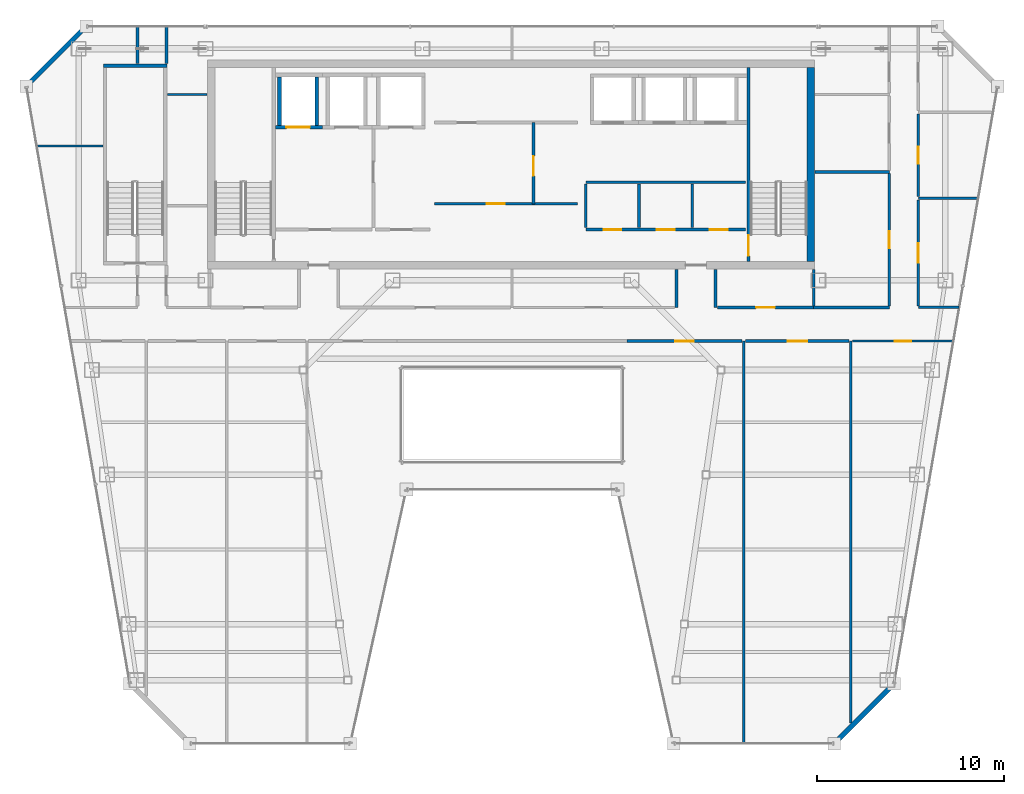
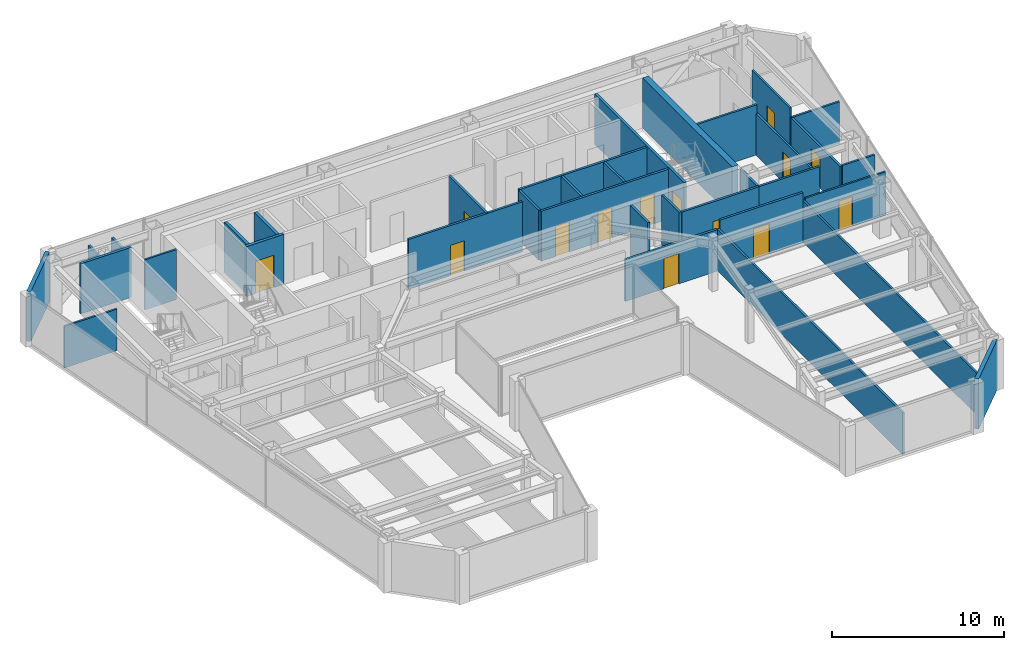
# One storey, part 27 of 33: 35 walls, 14 doors, 14 openings.
"""IFC4 building model written with IfcOpenShell, lengths in metres."""

from ifc_helpers import new_model, si_unit, direction, frame, frame_2d, origin, place, context, subcontext, project, spatial, rectangle, extrude, material, layer, layer_set, type_object, element, fill, save


model = new_model("IFC4")

# Units and contexts
model_context = context("Model", 3, precision=1e-05, world=origin(), true_north=direction((0.0, 1.0)))
body_context = subcontext(model_context, "Body", "Model", "MODEL_VIEW")
ifc_project = project(units=[si_unit("LENGTHUNIT", "METRE"), si_unit("AREAUNIT", "SQUARE_METRE"), si_unit("VOLUMEUNIT", "CUBIC_METRE"), si_unit("PLANEANGLEUNIT", "RADIAN"), si_unit("MASSUNIT", "GRAM", prefix="KILO")], contexts=[model_context])

# Site, building, storey
site_placement = place(None, origin())
site = spatial("IfcSite", under=ifc_project, at=site_placement, CompositionType="ELEMENT")
building_placement = place(site_placement, origin())
building = spatial("IfcBuilding", under=site, at=building_placement, Name="Saevonmaru Cultural Tower", CompositionType="ELEMENT")
storey_placement = place(building_placement, frame((0.0, 0.0, 234.39990234375)))
storey = spatial("IfcBuildingStorey", under=building, at=storey_placement, Name="L54", CompositionType="ELEMENT", Elevation=234.39990234375)

# Wall
ifc_material_1 = material(Name="Concrete C50/60", Category="concrete")
ifc_layer_1 = layer(ifc_material_1, 0.39990234375, Name="Concrete C50/60")
ifc_layer_set_1 = layer_set([ifc_layer_1], Name="Concrete C50/60")
wall_type_1 = type_object("IfcWallType", Name="WL-CORE-400", PredefinedType="SHEAR", material=ifc_layer_set_1)
wall_1_placement = place(storey_placement, frame((46.0, 43.39990234375, 0.0), z_axis=(0.0, 0.0, 1.0), x_axis=(0.0, 1.0, 0.0)))
element("IfcWall", 1, at=wall_1_placement, inside=storey, type_object=wall_type_1, Name="L54 Tower RC core shear wall E", PredefinedType="SHEAR", context=body_context, shape_type="SweptSolid", body=[
    extrude(rectangle(XDim=10.400146484375, YDim=0.39990234375, at=frame_2d((5.2001953125, 0.0))), origin(), (0.0, 0.0, 1.0), 3.550048828125),
])

# Wall, opening, door
ifc_material_2 = material(Name="Gypsum Fireboard Partition", Category="gypsum")
ifc_layer_2 = layer(ifc_material_2, 0.14990234375, Name="Gypsum Fireboard Partition")
ifc_layer_set_2 = layer_set([ifc_layer_2], Name="Gypsum Fireboard Partition")
wall_type_2 = type_object("IfcWallType", Name="WL-CORE-PART-150", PredefinedType="PARTITIONING", material=ifc_layer_set_2)
wall_2_placement = place(storey_placement, frame((31.14990234375, 46.5, 0.0), z_axis=(0.0, 0.0, 1.0), x_axis=(0.0, 1.0, 0.0)))
wall_2 = element("IfcWall", 2, at=wall_2_placement, inside=storey, type_object=wall_type_2, Name="L54 Lift Zone Baffle 1", PredefinedType="PARTITIONING", context=body_context, shape_type="SweptSolid", body=[
    extrude(rectangle(XDim=4.35009765625, YDim=0.14990234375, at=frame_2d((2.175048828125, 0.0))), origin(), (0.0, 0.0, 1.0), 3.550048828125),
])
opening_1_placement = place(wall_2_placement, frame((1.5, 0.0, 0.0)))
opening_1 = element("IfcOpeningElement", 3, at=opening_1_placement, cuts=wall_2, Name="Opening ID-1", PredefinedType="OPENING", context=body_context, shape_type="SweptSolid", body=[
    extrude(rectangle(XDim=1.050048828125, YDim=2.14990234375, at=frame_2d((0.52490234375, 1.074951171875))), frame((0.0, 0.0849609375, 0.0), z_axis=(0.0, -1.0, 0.0), x_axis=(1.0, 0.0, 0.0)), (0.0, 0.0, 1.0), 0.169921875),
])
ifc_material_3 = material(Name="Satin Bronze Anodised Aluminium", Category="aluminium")
door_type_1 = type_object("IfcDoorType", Name="DR-INT-1050", OperationType="SINGLE_SWING_LEFT", PredefinedType="DOOR", material=ifc_material_3)
door_1_placement = place(opening_1_placement, origin())
door_1 = element("IfcDoor", 4, at=door_1_placement, inside=storey, type_object=door_type_1, Name="L54 West-Mid Lobby Portal", OperationType="SINGLE_SWING_LEFT", OverallHeight=2.14990234375, OverallWidth=1.050048828125, PredefinedType="DOOR", context=body_context, shape_type="SweptSolid", body=[
    extrude(rectangle(XDim=1.050048828125, YDim=2.14990234375, at=frame_2d((0.52490234375, 1.074951171875))), frame((0.0, 0.02490234375, 0.0), z_axis=(0.0, -1.0, 0.0), x_axis=(1.0, 0.0, 0.0)), (0.0, 0.0, 1.0), 0.050048828125),
])
fill(opening_1, door_1)

# Wall, openings, doors
wall_3_placement = place(storey_placement, frame((33.949951171875, 45.1201171875, 0.0), z_axis=(0.0, 0.0, 1.0), x_axis=(1.0, 0.0, 0.0)))
wall_3 = element("IfcWall", 5, at=wall_3_placement, inside=storey, type_object=wall_type_2, Name="L54 Core Utility South Wall", PredefinedType="PARTITIONING", context=body_context, shape_type="SweptSolid", body=[
    extrude(rectangle(XDim=8.550048828125, YDim=0.14990234375, at=frame_2d((4.27490234375, 0.0))), origin(), (0.0, 0.0, 1.0), 3.550048828125),
])
opening_2_placement = place(wall_3_placement, frame((0.949951171875, 0.0, 0.0)))
opening_2 = element("IfcOpeningElement", 6, at=opening_2_placement, cuts=wall_3, Name="Opening FD-4", PredefinedType="OPENING", context=body_context, shape_type="SweptSolid", body=[
    extrude(rectangle(XDim=0.949951171875, YDim=2.14990234375, at=frame_2d((0.47509765625, 1.074951171875))), frame((0.0, 0.0849609375, 0.0), z_axis=(0.0, -1.0, 0.0), x_axis=(1.0, 0.0, 0.0)), (0.0, 0.0, 1.0), 0.169921875),
])
opening_3_placement = place(wall_3_placement, frame((3.800048828125, 0.0, 0.0)))
opening_3 = element("IfcOpeningElement", 7, at=opening_3_placement, cuts=wall_3, Name="Opening FD-4", PredefinedType="OPENING", context=body_context, shape_type="SweptSolid", body=[
    extrude(rectangle(XDim=0.949951171875, YDim=2.14990234375, at=frame_2d((0.47509765625, 1.074951171875))), frame((0.0, 0.0849609375, 0.0), z_axis=(0.0, -1.0, 0.0), x_axis=(1.0, 0.0, 0.0)), (0.0, 0.0, 1.0), 0.169921875),
])
opening_4_placement = place(wall_3_placement, frame((6.64990234375, 0.0, 0.0)))
opening_4 = element("IfcOpeningElement", 8, at=opening_4_placement, cuts=wall_3, Name="Opening FD-4", PredefinedType="OPENING", context=body_context, shape_type="SweptSolid", body=[
    extrude(rectangle(XDim=0.949951171875, YDim=2.14990234375, at=frame_2d((0.47509765625, 1.074951171875))), frame((0.0, 0.0849609375, 0.0), z_axis=(0.0, -1.0, 0.0), x_axis=(1.0, 0.0, 0.0)), (0.0, 0.0, 1.0), 0.169921875),
])
door_type_2 = type_object("IfcDoorType", Name="DR-FD60-950", OperationType="SINGLE_SWING_LEFT", PredefinedType="DOOR", material=ifc_material_3)
door_2_placement = place(opening_2_placement, origin())
door_2 = element("IfcDoor", 9, at=door_2_placement, inside=storey, type_object=door_type_2, Name="L54 Meter Plant Door", OperationType="SINGLE_SWING_LEFT", OverallHeight=2.14990234375, OverallWidth=0.949951171875, PredefinedType="DOOR", context=body_context, shape_type="SweptSolid", body=[
    extrude(rectangle(XDim=0.949951171875, YDim=2.14990234375, at=frame_2d((0.47509765625, 1.074951171875))), frame((0.0, 0.02490234375, 0.0), z_axis=(0.0, -1.0, 0.0), x_axis=(1.0, 0.0, 0.0)), (0.0, 0.0, 1.0), 0.050048828125),
])
fill(opening_2, door_2)
door_3_placement = place(opening_3_placement, origin())
door_3 = element("IfcDoor", 10, at=door_3_placement, inside=storey, type_object=door_type_2, Name="L54 AV Rack Plant Door", OperationType="SINGLE_SWING_LEFT", OverallHeight=2.14990234375, OverallWidth=0.949951171875, PredefinedType="DOOR", context=body_context, shape_type="SweptSolid", body=[
    extrude(rectangle(XDim=0.949951171875, YDim=2.14990234375, at=frame_2d((0.47509765625, 1.074951171875))), frame((0.0, 0.02490234375, 0.0), z_axis=(0.0, -1.0, 0.0), x_axis=(1.0, 0.0, 0.0)), (0.0, 0.0, 1.0), 0.050048828125),
])
fill(opening_3, door_3)
door_4_placement = place(opening_4_placement, origin())
door_4 = element("IfcDoor", 11, at=door_4_placement, inside=storey, type_object=door_type_2, Name="L54 Archive Supply Storage Door", OperationType="SINGLE_SWING_LEFT", OverallHeight=2.14990234375, OverallWidth=0.949951171875, PredefinedType="DOOR", context=body_context, shape_type="SweptSolid", body=[
    extrude(rectangle(XDim=0.949951171875, YDim=2.14990234375, at=frame_2d((0.47509765625, 1.074951171875))), frame((0.0, 0.02490234375, 0.0), z_axis=(0.0, -1.0, 0.0), x_axis=(1.0, 0.0, 0.0)), (0.0, 0.0, 1.0), 0.050048828125),
])
fill(opening_4, door_4)

# Walls
wall_4_placement = place(storey_placement, frame((33.949951171875, 47.64990234375, 0.0), z_axis=(0.0, 0.0, 1.0), x_axis=(1.0, 0.0, 0.0)))
element("IfcWall", 12, at=wall_4_placement, inside=storey, type_object=wall_type_2, Name="L54 Core Utility North Wall", PredefinedType="PARTITIONING", context=body_context, shape_type="SweptSolid", body=[
    extrude(rectangle(XDim=8.550048828125, YDim=0.14990234375, at=frame_2d((4.27490234375, 0.0))), origin(), (0.0, 0.0, 1.0), 3.550048828125),
])
for number, where, z_axis, x_axis, name in (
    (13, (33.949951171875, 45.219970703125, 0.0), (0.0, 0.0, 1.0), (0.0, 1.0, 0.0), "L54 Core Utility West Wall"),
    (14, (36.800048828125, 45.219970703125, 0.0), (0.0, 0.0, 1.0), (0.0, 1.0, 0.0), "L54 Utility Divider 1"),
    (15, (39.64990234375, 45.219970703125, 0.0), (0.0, 0.0, 1.0), (0.0, 1.0, 0.0), "L54 Utility Divider 2"),
):
    element("IfcWall", number, at=place(storey_placement, frame(where, z_axis=z_axis, x_axis=x_axis)), inside=storey, type_object=wall_type_2, Name=name, PredefinedType="PARTITIONING", context=body_context, shape_type="SweptSolid", body=[
        extrude(rectangle(XDim=2.330078125, YDim=0.14990234375, at=frame_2d((1.1650390625, 0.0))), origin(), (0.0, 0.0, 1.0), 3.550048828125),
    ])

# Wall, opening, door
wall_5_placement = place(storey_placement, frame((25.85009765625, 46.5, 0.0), z_axis=(0.0, 0.0, 1.0), x_axis=(1.0, 0.0, 0.0)))
wall_5 = element("IfcWall", 16, at=wall_5_placement, inside=storey, type_object=wall_type_2, Name="L54 Reclaimed Mid-Shaft Wall", PredefinedType="PARTITIONING", context=body_context, shape_type="SweptSolid", body=[
    extrude(rectangle(XDim=7.64990234375, YDim=0.14990234375, at=frame_2d((3.824951171875, 0.0))), origin(), (0.0, 0.0, 1.0), 3.550048828125),
])
opening_5_placement = place(wall_5_placement, frame((2.800048828125, 0.0, 0.0)))
opening_5 = element("IfcOpeningElement", 17, at=opening_5_placement, cuts=wall_5, Name="Opening FD-4", PredefinedType="OPENING", context=body_context, shape_type="SweptSolid", body=[
    extrude(rectangle(XDim=0.949951171875, YDim=2.14990234375, at=frame_2d((0.47509765625, 1.074951171875))), frame((0.0, 0.0849609375, 0.0), z_axis=(0.0, -1.0, 0.0), x_axis=(1.0, 0.0, 0.0)), (0.0, 0.0, 1.0), 0.169921875),
])
door_5_placement = place(opening_5_placement, origin())
door_5 = element("IfcDoor", 18, at=door_5_placement, inside=storey, type_object=door_type_2, Name="L54 Reclaimed Manuscript Storage Door", OperationType="SINGLE_SWING_LEFT", OverallHeight=2.14990234375, OverallWidth=0.949951171875, PredefinedType="DOOR", context=body_context, shape_type="SweptSolid", body=[
    extrude(rectangle(XDim=0.949951171875, YDim=2.14990234375, at=frame_2d((0.47509765625, 1.074951171875))), frame((0.0, 0.02490234375, 0.0), z_axis=(0.0, -1.0, 0.0), x_axis=(1.0, 0.0, 0.0)), (0.0, 0.0, 1.0), 0.050048828125),
])
fill(opening_5, door_5)

# Walls
ifc_material_4 = material(Name="Granite-Clad Precast Concrete C40/50", Category="masonry")
ifc_layer_3 = layer(ifc_material_4, 0.260009765625, Name="Granite-Clad Precast Concrete C40/50")
ifc_layer_set_3 = layer_set([ifc_layer_3], Name="Granite-Clad Precast Concrete C40/50")
wall_type_3 = type_object("IfcWallType", Name="WL-EXT-SPANDREL-260", PredefinedType="STANDARD", material=ifc_layer_set_3)
wall_6_placement = place(storey_placement, frame((47.366455078125, 17.713134765625, 0.0), z_axis=(0.0, 0.0, 1.0), x_axis=(0.70707775441, 0.707135806771, 0.0)))
element("IfcWall", 19, at=wall_6_placement, inside=storey, type_object=wall_type_3, Name="L54 Chamfer Corner Spandrel Wall E7", PredefinedType="STANDARD", context=body_context, shape_type="SweptSolid", body=[
    extrude(rectangle(XDim=4.20556640625, YDim=0.260009765625, at=frame_2d((2.102783203125, 0.0))), origin(), (0.0, 0.0, 1.0), 3.550048828125),
])
wall_7_placement = place(storey_placement, frame((7.0869140625, 55.886962890625, 0.0), z_axis=(0.0, 0.0, 1.0), x_axis=(-0.707106781187, -0.707106781187, 0.0)))
element("IfcWall", 20, at=wall_7_placement, inside=storey, type_object=wall_type_3, Name="L54 Chamfer Corner Spandrel Wall E11", PredefinedType="STANDARD", context=body_context, shape_type="SweptSolid", body=[
    extrude(rectangle(XDim=4.205810546875, YDim=0.260009765625, at=frame_2d((2.10302734375, 0.0))), origin(), (0.0, 0.0, 1.0), 3.550048828125),
])
ifc_layer_4 = layer(ifc_material_2, 0.14990234375, Name="Gypsum Fireboard Partition")
ifc_layer_set_4 = layer_set([ifc_layer_4], Name="Gypsum Fireboard Partition")
wall_type_4 = type_object("IfcWallType", Name="WL-PART-FIRE-150", PredefinedType="PARTITIONING", material=ifc_layer_set_4)
for number, where, z_axis, x_axis, name in (
    (21, (11.5, 54.0, 0.0), (0.0, 0.0, 1.0), (0.0, 1.0, 0.0), "L54 Sound Art Screening Auditorium Corridor Wall"),
    (22, (9.949951171875, 54.0, 0.0), (0.0, 0.0, 1.0), (0.0, 1.0, 0.0), "L54 Media Screening Auditorium Corridor Wall"),
):
    element("IfcWall", number, at=place(storey_placement, frame(where, z_axis=z_axis, x_axis=x_axis)), inside=storey, type_object=wall_type_4, Name=name, PredefinedType="PARTITIONING", context=body_context, shape_type="SweptSolid", body=[
        extrude(rectangle(XDim=1.9951171875, YDim=0.14990234375, at=frame_2d((0.99755859375, 0.0))), origin(), (0.0, 0.0, 1.0), 2.93505859375),
    ])

# Wall, opening, door
wall_8_placement = place(storey_placement, frame((51.75, 41.03759765625, 0.0), z_axis=(0.0, 0.0, 1.0), x_axis=(0.0, 1.0, 0.0)))
wall_8 = element("IfcWall", 23, at=wall_8_placement, inside=storey, type_object=wall_type_4, Name="L54 Visual Arts Critique Gallery Corridor Wall", PredefinedType="PARTITIONING", context=body_context, shape_type="SweptSolid", body=[
    extrude(rectangle(XDim=5.6748046875, YDim=0.14990234375, at=frame_2d((2.83740234375, 0.0))), origin(), (0.0, 0.0, 1.0), 2.947021484375),
])
opening_6_placement = place(wall_8_placement, frame((2.31201171875, 0.0, 0.0)))
opening_6 = element("IfcOpeningElement", 24, at=opening_6_placement, cuts=wall_8, Name="Opening ID-1", PredefinedType="OPENING", context=body_context, shape_type="SweptSolid", body=[
    extrude(rectangle(XDim=1.050048828125, YDim=2.14990234375, at=frame_2d((0.52490234375, 1.074951171875))), frame((0.0, 0.0849609375, 0.0), z_axis=(0.0, -1.0, 0.0), x_axis=(1.0, 0.0, 0.0)), (0.0, 0.0, 1.0), 0.169921875),
])
door_6_placement = place(opening_6_placement, origin())
door_6 = element("IfcDoor", 25, at=door_6_placement, inside=storey, type_object=door_type_1, Name="L54 Visual Arts Critique Gallery Door", OperationType="SINGLE_SWING_LEFT", OverallHeight=2.14990234375, OverallWidth=1.050048828125, PredefinedType="DOOR", context=body_context, shape_type="SweptSolid", body=[
    extrude(rectangle(XDim=1.050048828125, YDim=2.14990234375, at=frame_2d((0.52490234375, 1.074951171875))), frame((0.0, 0.02490234375, 0.0), z_axis=(0.0, -1.0, 0.0), x_axis=(1.0, 0.0, 0.0)), (0.0, 0.0, 1.0), 0.050048828125),
])
fill(opening_6, door_6)

# Walls
for number, where, z_axis, x_axis, name in (
    (26, (38.800048828125, 40.949951171875, 0.0), (0.0, 0.0, 1.0), (0.0, 1.0, 0.0), "L54 Core Portal Side Wall E1"),
    (27, (40.89990234375, 40.949951171875, 0.0), (0.0, 0.0, 1.0), (0.0, 1.0, 0.0), "L54 Core Portal Side Wall E2"),
):
    element("IfcWall", number, at=place(storey_placement, frame(where, z_axis=z_axis, x_axis=x_axis)), inside=storey, type_object=wall_type_4, Name=name, PredefinedType="PARTITIONING", context=body_context, shape_type="SweptSolid", body=[
        extrude(rectangle(XDim=2.030029296875, YDim=0.14990234375, at=frame_2d((1.01513671875, 0.0))), origin(), (0.0, 0.0, 1.0), 3.550048828125),
    ])

# Wall, opening, door
wall_9_placement = place(storey_placement, frame((40.9951171875, 40.949951171875, 0.0), z_axis=(0.0, 0.0, 1.0), x_axis=(1.0, 0.0, 0.0)))
wall_9 = element("IfcWall", 28, at=wall_9_placement, inside=storey, type_object=wall_type_4, Name="L54 Sound Art Screening Auditorium Corridor Wall", PredefinedType="PARTITIONING", context=body_context, shape_type="SweptSolid", body=[
    extrude(rectangle(XDim=5.15478515625, YDim=0.14990234375, at=frame_2d((2.577392578125, 0.0))), origin(), (0.0, 0.0, 1.0), 3.550048828125),
])
opening_7_placement = place(wall_9_placement, frame((2.077880859375, 0.0, 0.0)))
opening_7 = element("IfcOpeningElement", 29, at=opening_7_placement, cuts=wall_9, Name="Opening ID-1B", PredefinedType="OPENING", context=body_context, shape_type="SweptSolid", body=[
    extrude(rectangle(XDim=1.0, YDim=2.14990234375, at=frame_2d((0.5, 1.074951171875))), frame((0.0, 0.0849609375, 0.0), z_axis=(0.0, -1.0, 0.0), x_axis=(1.0, 0.0, 0.0)), (0.0, 0.0, 1.0), 0.169921875),
])
ifc_material_5 = material(Name="Acoustic Stained Oak Timber", Category="wood")
door_type_3 = type_object("IfcDoorType", Name="DR-INT-1000", OperationType="SINGLE_SWING_RIGHT", PredefinedType="DOOR", material=ifc_material_5)
door_7_placement = place(opening_7_placement, origin())
door_7 = element("IfcDoor", 30, at=door_7_placement, inside=storey, type_object=door_type_3, Name="L54 Sound Art Screening Auditorium Door", OperationType="SINGLE_SWING_LEFT", OverallHeight=2.14990234375, OverallWidth=1.0, PredefinedType="DOOR", context=body_context, shape_type="SweptSolid", body=[
    extrude(rectangle(XDim=1.0, YDim=2.14990234375, at=frame_2d((0.5, 1.074951171875))), frame((0.0, 0.02490234375, 0.0), z_axis=(0.0, -1.0, 0.0), x_axis=(1.0, 0.0, 0.0)), (0.0, 0.0, 1.0), 0.050048828125),
])
fill(opening_7, door_7)

wall_10_placement = place(storey_placement, frame((36.14990234375, 39.14990234375, 0.0), z_axis=(0.0, 0.0, 1.0), x_axis=(1.0, 0.0, 0.0)))
wall_10 = element("IfcWall", 31, at=wall_10_placement, inside=storey, type_object=wall_type_4, Name="L54 Sound Art Screening Auditorium Corridor Wall", PredefinedType="PARTITIONING", context=body_context, shape_type="SweptSolid", body=[
    extrude(rectangle(XDim=6.172607421875, YDim=0.14990234375, at=frame_2d((3.08642578125, 0.0))), origin(), (0.0, 0.0, 1.0), 2.947021484375),
])
opening_8_placement = place(wall_10_placement, frame((2.5859375, 0.0, 0.0)))
opening_8 = element("IfcOpeningElement", 32, at=opening_8_placement, cuts=wall_10, Name="Opening ID-1B", PredefinedType="OPENING", context=body_context, shape_type="SweptSolid", body=[
    extrude(rectangle(XDim=1.0, YDim=2.14990234375, at=frame_2d((0.5, 1.074951171875))), frame((0.0, 0.0849609375, 0.0), z_axis=(0.0, -1.0, 0.0), x_axis=(1.0, 0.0, 0.0)), (0.0, 0.0, 1.0), 0.169921875),
])
door_8_placement = place(opening_8_placement, origin())
door_8 = element("IfcDoor", 33, at=door_8_placement, inside=storey, type_object=door_type_3, Name="L54 Sound Art Screening Auditorium Door", OperationType="SINGLE_SWING_RIGHT", OverallHeight=2.14990234375, OverallWidth=1.0, PredefinedType="DOOR", context=body_context, shape_type="SweptSolid", body=[
    extrude(rectangle(XDim=1.0, YDim=2.14990234375, at=frame_2d((0.5, 1.074951171875))), frame((0.0, 0.02490234375, 0.0), z_axis=(0.0, -1.0, 0.0), x_axis=(1.0, 0.0, 0.0)), (0.0, 0.0, 1.0), 0.050048828125),
])
fill(opening_8, door_8)

wall_11_placement = place(storey_placement, frame((42.49755859375, 39.14990234375, 0.0), z_axis=(0.0, 0.0, 1.0), x_axis=(1.0, 0.0, 0.0)))
wall_11 = element("IfcWall", 34, at=wall_11_placement, inside=storey, type_object=wall_type_4, Name="L54 Visual Arts Critique Gallery Corridor Wall", PredefinedType="PARTITIONING", context=body_context, shape_type="SweptSolid", body=[
    extrude(rectangle(XDim=5.554931640625, YDim=0.14990234375, at=frame_2d((2.77734375, 0.0))), origin(), (0.0, 0.0, 1.0), 3.550048828125),
])
opening_9_placement = place(wall_11_placement, frame((2.251953125, 0.0, 0.0)))
opening_9 = element("IfcOpeningElement", 35, at=opening_9_placement, cuts=wall_11, Name="Opening ID-1", PredefinedType="OPENING", context=body_context, shape_type="SweptSolid", body=[
    extrude(rectangle(XDim=1.050048828125, YDim=2.14990234375, at=frame_2d((0.52490234375, 1.074951171875))), frame((0.0, 0.0849609375, 0.0), z_axis=(0.0, -1.0, 0.0), x_axis=(1.0, 0.0, 0.0)), (0.0, 0.0, 1.0), 0.169921875),
])
door_9_placement = place(opening_9_placement, origin())
door_9 = element("IfcDoor", 36, at=door_9_placement, inside=storey, type_object=door_type_1, Name="L54 Visual Arts Critique Gallery Door", OperationType="SINGLE_SWING_LEFT", OverallHeight=2.14990234375, OverallWidth=1.050048828125, PredefinedType="DOOR", context=body_context, shape_type="SweptSolid", body=[
    extrude(rectangle(XDim=1.050048828125, YDim=2.14990234375, at=frame_2d((0.52490234375, 1.074951171875))), frame((0.0, 0.02490234375, 0.0), z_axis=(0.0, -1.0, 0.0), x_axis=(1.0, 0.0, 0.0)), (0.0, 0.0, 1.0), 0.050048828125),
])
fill(opening_9, door_9)

# Walls
ifc_layer_5 = layer(ifc_material_2, 0.1201171875, Name="Gypsum Fireboard Partition")
ifc_layer_set_5 = layer_set([ifc_layer_5], Name="Gypsum Fireboard Partition")
wall_type_5 = type_object("IfcWallType", Name="WL-PART-GYP-120", PredefinedType="PARTITIONING", material=ifc_layer_set_5)
wall_12_placement = place(storey_placement, frame((11.550048828125, 52.35009765625, 0.0), z_axis=(0.0, 0.0, 1.0), x_axis=(1.0, 0.0, 0.0)))
element("IfcWall", 37, at=wall_12_placement, inside=storey, type_object=wall_type_5, Name="L54 North-West Panorama South Wall", PredefinedType="PARTITIONING", context=body_context, shape_type="SweptSolid", body=[
    extrude(rectangle(XDim=2.1298828125, YDim=0.1201171875, at=frame_2d((1.06494140625, 0.0))), origin(), (0.0, 0.0, 1.0), 3.550048828125),
])
wall_13_placement = place(storey_placement, frame((4.559814453125, 49.60009765625, 0.0), z_axis=(0.0, 0.0, 1.0), x_axis=(1.0, 0.0, 0.0)))
element("IfcWall", 38, at=wall_13_placement, inside=storey, type_object=wall_type_5, Name="L54 NW Studio Divider 1", PredefinedType="PARTITIONING", context=body_context, shape_type="SweptSolid", body=[
    extrude(rectangle(XDim=3.540283203125, YDim=0.1201171875, at=frame_2d((1.77001953125, 0.0))), origin(), (0.0, 0.0, 1.0), 2.947021484375),
])

# Wall, opening, door
wall_14_placement = place(storey_placement, frame((51.75, 46.887451171875, 0.0), z_axis=(0.0, 0.0, 1.0), x_axis=(0.0, 1.0, 0.0)))
wall_14 = element("IfcWall", 39, at=wall_14_placement, inside=storey, type_object=wall_type_5, Name="L54 Architecture Residency Office Corridor Wall", PredefinedType="PARTITIONING", context=body_context, shape_type="SweptSolid", body=[
    extrude(rectangle(XDim=4.425048828125, YDim=0.1201171875, at=frame_2d((2.21240234375, 0.0))), origin(), (0.0, 0.0, 1.0), 3.550048828125),
])
opening_10_placement = place(wall_14_placement, frame((1.761962890625, 0.0, 0.0)))
opening_10 = element("IfcOpeningElement", 40, at=opening_10_placement, cuts=wall_14, Name="Opening ID-2", PredefinedType="OPENING", context=body_context, shape_type="SweptSolid", body=[
    extrude(rectangle(XDim=0.89990234375, YDim=2.10009765625, at=frame_2d((0.449951171875, 1.050048828125))), frame((0.0, 0.070068359375, 0.0), z_axis=(0.0, -1.0, 0.0), x_axis=(1.0, 0.0, 0.0)), (0.0, 0.0, 1.0), 0.14013671875),
])
door_type_4 = type_object("IfcDoorType", Name="DR-INT-900", OperationType="SINGLE_SWING_RIGHT", PredefinedType="DOOR", material=ifc_material_5)
door_10_placement = place(opening_10_placement, origin())
door_10 = element("IfcDoor", 41, at=door_10_placement, inside=storey, type_object=door_type_4, Name="L54 Architecture Residency Office Door", OperationType="SINGLE_SWING_RIGHT", OverallHeight=2.10009765625, OverallWidth=0.89990234375, PredefinedType="DOOR", context=body_context, shape_type="SweptSolid", body=[
    extrude(rectangle(XDim=0.89990234375, YDim=2.10009765625, at=frame_2d((0.449951171875, 1.050048828125))), frame((0.0, 0.02490234375, 0.0), z_axis=(0.0, -1.0, 0.0), x_axis=(1.0, 0.0, 0.0)), (0.0, 0.0, 1.0), 0.050048828125),
])
fill(opening_10, door_10)

wall_15_placement = place(storey_placement, frame((48.2275390625, 39.14990234375, 0.0), z_axis=(0.0, 0.0, 1.0), x_axis=(1.0, 0.0, 0.0)))
wall_15 = element("IfcWall", 42, at=wall_15_placement, inside=storey, type_object=wall_type_5, Name="L54 Architecture Residency Office Corridor Wall", PredefinedType="PARTITIONING", context=body_context, shape_type="SweptSolid", body=[
    extrude(rectangle(XDim=5.4013671875, YDim=0.1201171875, at=frame_2d((2.70068359375, 0.0))), origin(), (0.0, 0.0, 1.0), 3.085205078125),
])
opening_11_placement = place(wall_15_placement, frame((2.2509765625, 0.0, 0.0)))
opening_11 = element("IfcOpeningElement", 43, at=opening_11_placement, cuts=wall_15, Name="Opening ID-2", PredefinedType="OPENING", context=body_context, shape_type="SweptSolid", body=[
    extrude(rectangle(XDim=0.89990234375, YDim=2.10009765625, at=frame_2d((0.449951171875, 1.050048828125))), frame((0.0, 0.070068359375, 0.0), z_axis=(0.0, -1.0, 0.0), x_axis=(1.0, 0.0, 0.0)), (0.0, 0.0, 1.0), 0.14013671875),
])
door_11_placement = place(opening_11_placement, origin())
door_11 = element("IfcDoor", 44, at=door_11_placement, inside=storey, type_object=door_type_4, Name="L54 Architecture Residency Office Door", OperationType="SINGLE_SWING_RIGHT", OverallHeight=2.10009765625, OverallWidth=0.89990234375, PredefinedType="DOOR", context=body_context, shape_type="SweptSolid", body=[
    extrude(rectangle(XDim=0.89990234375, YDim=2.10009765625, at=frame_2d((0.449951171875, 1.050048828125))), frame((0.0, 0.02490234375, 0.0), z_axis=(0.0, -1.0, 0.0), x_axis=(1.0, 0.0, 0.0)), (0.0, 0.0, 1.0), 0.050048828125),
])
fill(opening_11, door_11)

# Walls
ifc_layer_6 = layer(ifc_material_2, 0.135009765625, Name="Gypsum Fireboard Partition")
ifc_layer_set_6 = layer_set([ifc_layer_6], Name="Gypsum Fireboard Partition")
wall_type_6 = type_object("IfcWallType", Name="WL-PART-GYP-135", PredefinedType="PARTITIONING", material=ifc_layer_set_6)
wall_16_placement = place(storey_placement, frame((51.75, 40.949951171875, 0.0), z_axis=(0.0, 0.0, 1.0), x_axis=(1.0, 0.0, 0.0)))
element("IfcWall", 45, at=wall_16_placement, inside=storey, type_object=wall_type_6, Name="L54 NE Wing South Wall", PredefinedType="PARTITIONING", context=body_context, shape_type="SweptSolid", body=[
    extrude(rectangle(XDim=2.19091796875, YDim=0.135009765625, at=frame_2d((1.095458984375, 0.0))), origin(), (0.0, 0.0, 1.0), 3.085205078125),
])
wall_17_placement = place(storey_placement, frame((51.75, 46.800048828125, 0.0), z_axis=(0.0, 0.0, 1.0), x_axis=(1.0, 0.0, 0.0)))
element("IfcWall", 46, at=wall_17_placement, inside=storey, type_object=wall_type_6, Name="L54 NE Studio Divider 1", PredefinedType="PARTITIONING", context=body_context, shape_type="SweptSolid", body=[
    extrude(rectangle(XDim=3.204833984375, YDim=0.135009765625, at=frame_2d((1.6025390625, 0.0))), origin(), (0.0, 0.0, 1.0), 2.947021484375),
])
wall_18_placement = place(storey_placement, frame((42.409912109375, 17.60498046875, 0.0), z_axis=(0.0, 0.0, 1.0), x_axis=(0.0, 1.0, 0.0)))
element("IfcWall", 47, at=wall_18_placement, inside=storey, type_object=wall_type_6, Name="L54 East Bay Divider 1", PredefinedType="PARTITIONING", context=body_context, shape_type="SweptSolid", body=[
    extrude(rectangle(XDim=21.544921875, YDim=0.135009765625, at=frame_2d((10.7724609375, 0.0))), origin(), (0.0, 0.0, 1.0), 2.947021484375),
])
wall_19_placement = place(storey_placement, frame((48.139892578125, 18.69873046875, 0.0), z_axis=(0.0, 0.0, 1.0), x_axis=(0.0, 1.0, 0.0)))
element("IfcWall", 48, at=wall_19_placement, inside=storey, type_object=wall_type_6, Name="L54 East Bay Divider 2", PredefinedType="PARTITIONING", context=body_context, shape_type="SweptSolid", body=[
    extrude(rectangle(XDim=20.451171875, YDim=0.135009765625, at=frame_2d((10.2255859375, 0.0))), origin(), (0.0, 0.0, 1.0), 2.947021484375),
])
ifc_layer_7 = layer(ifc_material_2, 0.139892578125, Name="Gypsum Fireboard Partition")
ifc_layer_set_7 = layer_set([ifc_layer_7], Name="Gypsum Fireboard Partition")
wall_type_7 = type_object("IfcWallType", Name="WL-PART-WET-140", PredefinedType="PARTITIONING", material=ifc_layer_set_7)
wall_20_placement = place(storey_placement, frame((46.14990234375, 40.949951171875, 0.0), z_axis=(0.0, 0.0, 1.0), x_axis=(1.0, 0.0, 0.0)))
element("IfcWall", 49, at=wall_20_placement, inside=storey, type_object=wall_type_7, Name="L54 Washroom South Wall", PredefinedType="PARTITIONING", context=body_context, shape_type="SweptSolid", body=[
    extrude(rectangle(XDim=4.050048828125, YDim=0.139892578125, at=frame_2d((2.02490234375, 0.0))), origin(), (0.0, 0.0, 1.0), 3.550048828125),
])
wall_21_placement = place(storey_placement, frame((46.14990234375, 41.0400390625, 0.0), z_axis=(0.0, 0.0, 1.0), x_axis=(0.0, 1.0, 0.0)))
element("IfcWall", 50, at=wall_21_placement, inside=storey, type_object=wall_type_7, Name="L54 Washroom South-West Return", PredefinedType="PARTITIONING", context=body_context, shape_type="SweptSolid", body=[
    extrude(rectangle(XDim=1.93994140625, YDim=0.139892578125, at=frame_2d((0.969970703125, 0.0))), origin(), (0.0, 0.0, 1.0), 3.550048828125),
])
wall_22_placement = place(storey_placement, frame((46.219970703125, 48.199951171875, 0.0), z_axis=(0.0, 0.0, 1.0), x_axis=(1.0, 0.0, 0.0)))
element("IfcWall", 51, at=wall_22_placement, inside=storey, type_object=wall_type_7, Name="L54 Washroom North Wall", PredefinedType="PARTITIONING", context=body_context, shape_type="SweptSolid", body=[
    extrude(rectangle(XDim=3.97998046875, YDim=0.139892578125, at=frame_2d((1.989990234375, 0.0))), origin(), (0.0, 0.0, 1.0), 3.550048828125),
])

# Wall, opening, door
wall_23_placement = place(storey_placement, frame((50.199951171875, 41.0400390625, 0.0), z_axis=(0.0, 0.0, 1.0), x_axis=(0.0, 1.0, 0.0)))
wall_23 = element("IfcWall", 52, at=wall_23_placement, inside=storey, type_object=wall_type_7, Name="L54 Washroom Corridor Wall", PredefinedType="PARTITIONING", context=body_context, shape_type="SweptSolid", body=[
    extrude(rectangle(XDim=7.070068359375, YDim=0.139892578125, at=frame_2d((3.53515625, 0.0))), origin(), (0.0, 0.0, 1.0), 2.947021484375),
])
opening_12_placement = place(wall_23_placement, frame((3.0849609375, 0.0, 0.0)))
opening_12 = element("IfcOpeningElement", 53, at=opening_12_placement, cuts=wall_23, Name="Opening ID-2", PredefinedType="OPENING", context=body_context, shape_type="SweptSolid", body=[
    extrude(rectangle(XDim=0.89990234375, YDim=2.10009765625, at=frame_2d((0.449951171875, 1.050048828125))), frame((0.0, 0.080078125, 0.0), z_axis=(0.0, -1.0, 0.0), x_axis=(1.0, 0.0, 0.0)), (0.0, 0.0, 1.0), 0.159912109375),
])
door_12_placement = place(opening_12_placement, origin())
door_12 = element("IfcDoor", 54, at=door_12_placement, inside=storey, type_object=door_type_4, Name="L54 Public Accessible Washrooms Door", OperationType="SINGLE_SWING_RIGHT", OverallHeight=2.10009765625, OverallWidth=0.89990234375, PredefinedType="DOOR", context=body_context, shape_type="SweptSolid", body=[
    extrude(rectangle(XDim=0.89990234375, YDim=2.10009765625, at=frame_2d((0.449951171875, 1.050048828125))), frame((0.0, 0.02490234375, 0.0), z_axis=(0.0, -1.0, 0.0), x_axis=(1.0, 0.0, 0.0)), (0.0, 0.0, 1.0), 0.050048828125),
])
fill(opening_12, door_12)

ifc_material_6 = material(Name="Concrete C40/50", Category="concrete")
ifc_layer_8 = layer(ifc_material_6, 0.199951171875, Name="Concrete C40/50")
ifc_layer_set_8 = layer_set([ifc_layer_8], Name="Concrete C40/50")
wall_type_8 = type_object("IfcWallType", Name="WL-SHAFT-200", PredefinedType="SHEAR", material=ifc_layer_set_8)
wall_24_placement = place(storey_placement, frame((17.330078125, 50.60009765625, 0.0), z_axis=(0.0, 0.0, 1.0), x_axis=(1.0, 0.0, 0.0)))
wall_24 = element("IfcWall", 55, at=wall_24_placement, inside=storey, type_object=wall_type_8, Name="L54 Lift FFL-1 Hoistway Wall S", PredefinedType="SHEAR", context=body_context, shape_type="SweptSolid", body=[
    extrude(rectangle(XDim=2.52001953125, YDim=0.199951171875, at=frame_2d((1.260009765625, 0.0))), origin(), (0.0, 0.0, 1.0), 3.550048828125),
])
opening_13_placement = place(wall_24_placement, frame((0.594970703125, 0.0, 0.0)))
opening_13 = element("IfcOpeningElement", 56, at=opening_13_placement, cuts=wall_24, Name="Opening LD-2", PredefinedType="OPENING", context=body_context, shape_type="SweptSolid", body=[
    extrude(rectangle(XDim=1.25, YDim=2.300048828125, at=frame_2d((0.625, 1.14990234375))), frame((0.0, 0.10986328125, 0.0), z_axis=(0.0, -1.0, 0.0), x_axis=(1.0, 0.0, 0.0)), (0.0, 0.0, 1.0), 0.219970703125),
])
ifc_material_7 = material(Name="Stainless Steel 316", Category="steel")
door_type_5 = type_object("IfcDoorType", Name="DR-LIFT-1250", OperationType="SLIDING_TO_LEFT", PredefinedType="DOOR", material=ifc_material_7)
door_13_placement = place(opening_13_placement, origin())
door_13 = element("IfcDoor", 57, at=door_13_placement, inside=storey, type_object=door_type_5, Name="L54 Lift FFL-1 Sliding Landing Door", OperationType="SLIDING_TO_LEFT", OverallHeight=2.300048828125, OverallWidth=1.25, PredefinedType="DOOR", context=body_context, shape_type="SweptSolid", body=[
    extrude(rectangle(XDim=1.25, YDim=2.300048828125, at=frame_2d((0.625, 1.14990234375))), frame((0.0, 0.02490234375, 0.0), z_axis=(0.0, -1.0, 0.0), x_axis=(1.0, 0.0, 0.0)), (0.0, 0.0, 1.0), 0.050048828125),
])
fill(opening_13, door_13)

# Walls
for number, where, z_axis, x_axis, name in (
    (58, (17.550048828125, 50.699951171875, 0.0), (0.0, 0.0, 1.0), (0.0, 1.0, 0.0), "L54 Lift FFL-1 Hoistway Wall W"),
    (59, (19.550048828125, 50.699951171875, 0.0), (0.0, 0.0, 1.0), (0.0, 1.0, 0.0), "L54 Lift FFL-1 Hoistway Wall E"),
):
    element("IfcWall", number, at=place(storey_placement, frame(where, z_axis=z_axis, x_axis=x_axis)), inside=storey, type_object=wall_type_8, Name=name, PredefinedType="SHEAR", context=body_context, shape_type="SweptSolid", body=[
        extrude(rectangle(XDim=2.60009765625, YDim=0.199951171875, at=frame_2d((1.300048828125, 0.0))), origin(), (0.0, 0.0, 1.0), 3.550048828125),
    ])

# Wall, opening, door
ifc_layer_9 = layer(ifc_material_6, 0.179931640625, Name="Concrete C40/50")
ifc_layer_set_9 = layer_set([ifc_layer_9], Name="Concrete C40/50")
wall_type_9 = type_object("IfcWallType", Name="WL-STSHAFT-180", PredefinedType="SHEAR", material=ifc_layer_set_9)
wall_25_placement = place(storey_placement, frame((42.659912109375, 53.800048828125, 0.0), z_axis=(0.0, 0.0, 1.0), x_axis=(0.0, -1.0, 0.0)))
wall_25 = element("IfcWall", 60, at=wall_25_placement, inside=storey, type_object=wall_type_9, Name="L54 Stair ST-2 Structural Shaft Wall 1", PredefinedType="SHEAR", context=body_context, shape_type="SweptSolid", body=[
    extrude(rectangle(XDim=10.400146484375, YDim=0.179931640625, at=frame_2d((5.2001953125, 0.0))), origin(), (0.0, 0.0, 1.0), 3.550048828125),
])
opening_14_placement = place(wall_25_placement, frame((8.989990234375, 0.0, 0.0)))
opening_14 = element("IfcOpeningElement", 61, at=opening_14_placement, cuts=wall_25, Name="Opening FD-2", PredefinedType="OPENING", context=body_context, shape_type="SweptSolid", body=[
    extrude(rectangle(XDim=1.10009765625, YDim=2.14990234375, at=frame_2d((0.550048828125, 1.074951171875))), frame((0.0, 0.10009765625, 0.0), z_axis=(0.0, -1.0, 0.0), x_axis=(1.0, 0.0, 0.0)), (0.0, 0.0, 1.0), 0.199951171875),
])
door_type_6 = type_object("IfcDoorType", Name="DR-FD60-1100", OperationType="SINGLE_SWING_LEFT", PredefinedType="DOOR", material=ifc_material_3)
door_14_placement = place(opening_14_placement, origin())
door_14 = element("IfcDoor", 62, at=door_14_placement, inside=storey, type_object=door_type_6, Name="L54 Protected Stair ST-2 Fire Door", OperationType="SINGLE_SWING_LEFT", OverallHeight=2.14990234375, OverallWidth=1.10009765625, PredefinedType="DOOR", context=body_context, shape_type="SweptSolid", body=[
    extrude(rectangle(XDim=1.10009765625, YDim=2.14990234375, at=frame_2d((0.550048828125, 1.074951171875))), frame((0.0, 0.02490234375, 0.0), z_axis=(0.0, -1.0, 0.0), x_axis=(1.0, 0.0, 0.0)), (0.0, 0.0, 1.0), 0.050048828125),
])
fill(opening_14, door_14)

# Wall
wall_26_placement = place(storey_placement, frame((11.530029296875, 53.889892578125, 0.0), z_axis=(0.0, 0.0, 1.0), x_axis=(-1.0, 0.0, 0.0)))
element("IfcWall", 63, at=wall_26_placement, inside=storey, type_object=wall_type_9, Name="L54 Stair ST-3 Structural Shaft Wall 3", PredefinedType="SHEAR", context=body_context, shape_type="SweptSolid", body=[
    extrude(rectangle(XDim=3.409912109375, YDim=0.179931640625, at=frame_2d((1.705078125, 0.0))), origin(), (0.0, 0.0, 1.0), 3.550048828125),
])

save(model, "model.ifc")
